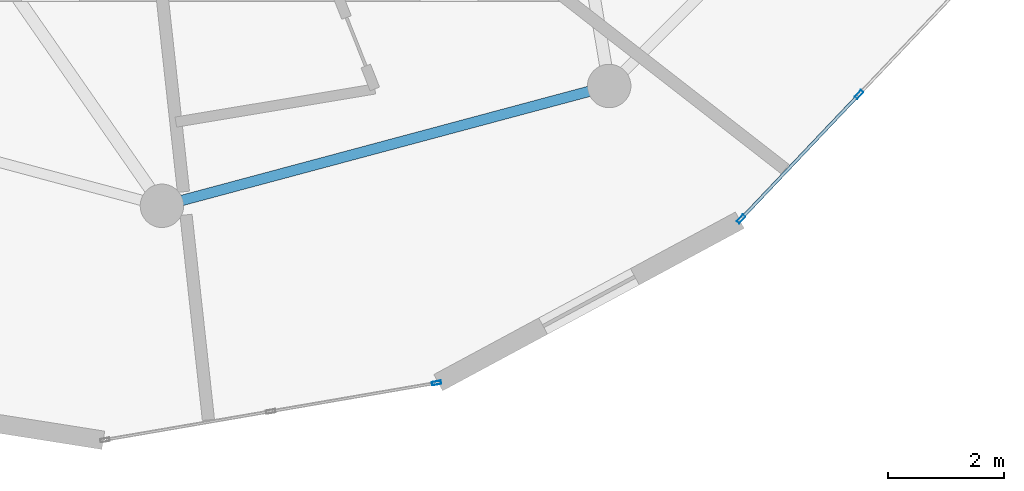
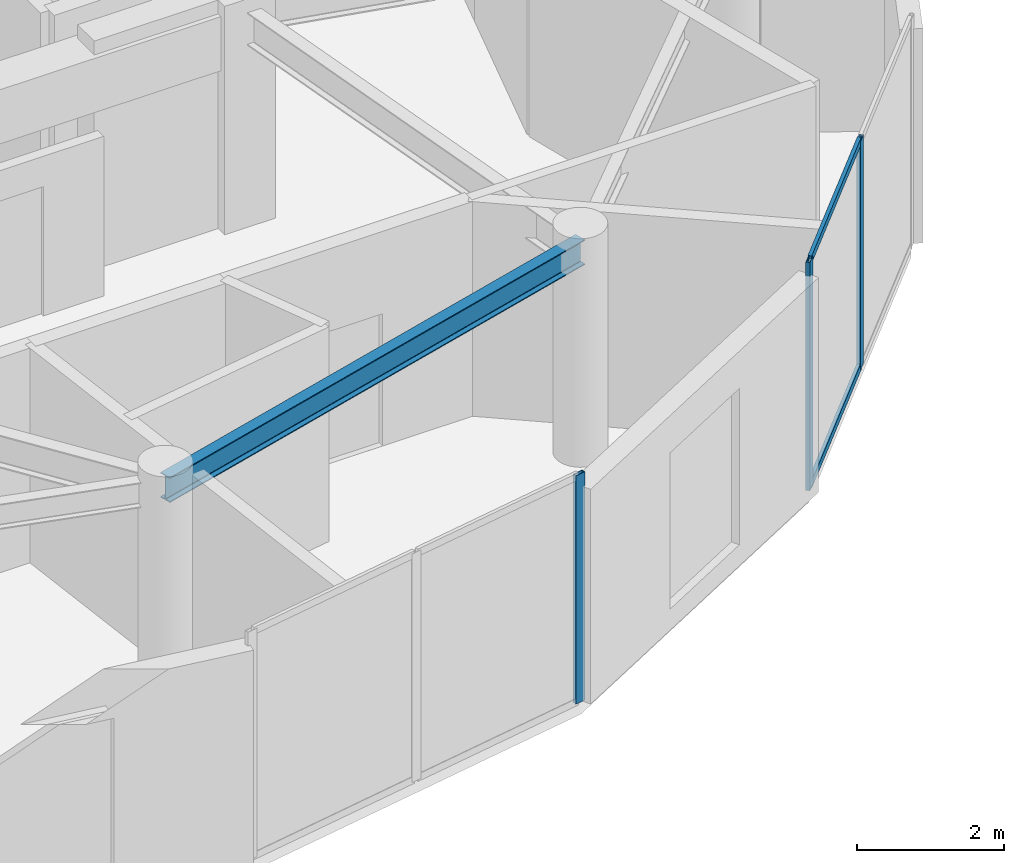
# One storey, part 5 of 22: 5 members, 1 beam, 2 elements without a shape of their own.
"""IFC4 building model written with IfcOpenShell, lengths in metres."""

from ifc_helpers import new_model, si_unit, direction, frame, origin, origin_2d, place, context, subcontext, project, spatial, hollow_rectangle, i_section, extrude, source, transform, mapped, material, layer, layer_set, material_profile, profile_set, type_object, element, aggregate, save


model = new_model("IFC4")

# Units and contexts
model_context = context("Model", 3, precision=1e-05, world=origin(), true_north=direction((0.0, 1.0)))
body_context = subcontext(model_context, "Body", "Model", "MODEL_VIEW")
ifc_project = project(units=[si_unit("LENGTHUNIT", "METRE"), si_unit("AREAUNIT", "SQUARE_METRE"), si_unit("VOLUMEUNIT", "CUBIC_METRE"), si_unit("PLANEANGLEUNIT", "RADIAN"), si_unit("MASSUNIT", "GRAM", prefix="KILO")], contexts=[model_context])

# Site, building, storey
site_placement = place(None, origin())
site = spatial("IfcSite", under=ifc_project, at=site_placement, CompositionType="ELEMENT")
building_placement = place(site_placement, origin())
building = spatial("IfcBuilding", under=site, at=building_placement, Name="Solvirekh Grand Hotel", CompositionType="ELEMENT")
storey_placement = place(building_placement, frame((0.0, 0.0, 278.199951171875)))
storey = spatial("IfcBuildingStorey", under=building, at=storey_placement, Name="L72", CompositionType="ELEMENT", Elevation=278.199951171875)

# Beam
ifc_material_1 = material(Name="Steel S355", Category="steel")
ifc_material_profile_1 = material_profile(ifc_material_1, i_section(OverallWidth=0.180908203125, OverallDepth=0.4169921875, WebThickness=0.010009765625, FlangeThickness=0.01611328125, FilletRadius=0.011962890625, at=origin_2d()), Name="W410X85")
ifc_profile_set_1 = profile_set([ifc_material_profile_1], Name="Steel S355")
beam_type = type_object("IfcBeamType", Name="Spandrel_Ring_W410", PredefinedType="SPANDREL", material=ifc_profile_set_1)
beam_placement = place(storey_placement, frame((0.0, -15.449951171875, 3.361083984375), z_axis=(0.965921616143, 0.258834757072, 0.0), x_axis=(-0.258834757072, 0.965921616143, 0.0)))
element("IfcBeam", 1, at=beam_placement, inside=storey, type_object=beam_type, Name="L72 perimeter spandrel beam 10", PredefinedType="SPANDREL", context=body_context, shape_type="SweptSolid", body=[
    extrude(i_section(OverallWidth=0.180908203125, OverallDepth=0.4169921875, WebThickness=0.010009765625, FlangeThickness=0.01611328125, FilletRadius=0.011962890625, at=origin_2d()), origin(), (0.0, 0.0, 1.0), 7.99755859375),
])

# Curtain wall, member
ifc_material_2 = material(Name="Anodized Bronze Aluminium 6063-T6", Category="aluminium")
ifc_layer = layer(ifc_material_2, 0.159912109375)
ifc_layer_set = layer_set([ifc_layer], Name="Anodized Bronze Aluminium 6063-T6")
curtain_wall_type = type_object("IfcCurtainWallType", Name="CW_Sys4_HighZoneFlushBronzeCW", PredefinedType="NOTDEFINED", material=ifc_layer_set)
curtain_wall_1_placement = place(storey_placement, origin())
curtain_wall_1 = element("IfcCurtainWall", 2, at=curtain_wall_1_placement, inside=storey, type_object=curtain_wall_type, Name="L72 unitised bronze-glass curtain wall CW-L72-C01", PredefinedType="NOTDEFINED")
ifc_material_profile_2 = material_profile(ifc_material_2, hollow_rectangle(XDim=0.06005859375, YDim=0.159912109375, WallThickness=0.0048828125, at=origin_2d()), Name="ALU RHS 160X60X5")
ifc_profile_set_2 = profile_set([ifc_material_profile_2], Name="Anodized Bronze Aluminium 6063-T6")
member_type_1 = type_object("IfcMemberType", Name="CWMullion_Sys4", PredefinedType="MULLION", material=ifc_profile_set_2)
shared_shape_1 = source(origin(), body_context, "Body", "SweptSolid", [
    extrude(hollow_rectangle(XDim=0.06005859375, YDim=0.159912109375, WallThickness=0.0048828125, at=origin_2d()), origin(), (0.0, 0.0, 1.0), 3.800048828125),
])
member_1_placement = place(storey_placement, frame((4.743408203125, -18.510009765625, 0.0), z_axis=(0.0, 0.0, 1.0), x_axis=(-0.169450661535, 0.985538671644, 0.0)))
member_1 = element("IfcMember", 3, at=member_1_placement, type_object=member_type_1, Name="U04 mullion 3", PredefinedType="MULLION", context=body_context, shape_type="MappedRepresentation", body=[
    mapped(shared_shape_1, transform((0.0, 0.0, 0.0), x_axis=(1.0, 0.0, 0.0), y_axis=(0.0, 1.0, 0.0), z_axis=(0.0, 0.0, 1.0), scale=1.0)),
])
aggregate(curtain_wall_1, [member_1])

# Curtain wall, members
curtain_wall_2_placement = place(storey_placement, origin())
curtain_wall_2 = element("IfcCurtainWall", 4, at=curtain_wall_2_placement, inside=storey, type_object=curtain_wall_type, Name="L72 unitised bronze-glass curtain wall CW-L72-C03", PredefinedType="NOTDEFINED")
member_2_placement = place(storey_placement, frame((10.001708984375, -15.67724609375, 0.0), z_axis=(0.0, 0.0, 1.0), x_axis=(-0.725654056171, 0.688059729066, 0.0)))
member_2 = element("IfcMember", 5, at=member_2_placement, type_object=member_type_1, Name="U04 mullion 1", PredefinedType="MULLION", context=body_context, shape_type="MappedRepresentation", body=[
    mapped(shared_shape_1, transform((0.0, 0.0, 0.0), x_axis=(1.0, 0.0, 0.0), y_axis=(0.0, 1.0, 0.0), z_axis=(0.0, 0.0, 1.0), scale=1.0)),
])
member_3_placement = place(storey_placement, frame((12.0400390625, -13.527587890625, 0.0), z_axis=(0.0, 0.0, 1.0), x_axis=(-0.725654056171, 0.688059729066, 0.0)))
member_3 = element("IfcMember", 6, at=member_3_placement, type_object=member_type_1, Name="U04 mullion 2", PredefinedType="MULLION", context=body_context, shape_type="MappedRepresentation", body=[
    mapped(shared_shape_1, transform((0.0, 0.0, 0.0), x_axis=(1.0, 0.0, 0.0), y_axis=(0.0, 1.0, 0.0), z_axis=(0.0, 0.0, 1.0), scale=1.0)),
])
ifc_material_profile_3 = material_profile(ifc_material_2, hollow_rectangle(XDim=0.054931640625, YDim=0.1201171875, WallThickness=0.00390625, at=origin_2d()), Name="ALU RHS 120X55X4")
ifc_profile_set_3 = profile_set([ifc_material_profile_3], Name="Anodized Bronze Aluminium 6063-T6")
member_type_2 = type_object("IfcMemberType", Name="CWTransom_Sys4", PredefinedType="USERDEFINED", material=ifc_profile_set_3)
shared_shape_2 = source(origin(), body_context, "Body", "SweptSolid", [
    extrude(hollow_rectangle(XDim=0.054931640625, YDim=0.1201171875, WallThickness=0.00390625, at=origin_2d()), origin(), (0.0, 0.0, 1.0), 2.902587890625),
])
member_4_placement = place(storey_placement, frame((10.022216796875, -15.655517578125, 0.027587890625), z_axis=(0.688057220203, 0.725656435048, 0.0), x_axis=(-0.725656435048, 0.688057220203, 0.0)))
member_4 = element("IfcMember", 7, at=member_4_placement, type_object=member_type_2, Name="U04 transom 1.1", ObjectType="TRANSOM", PredefinedType="USERDEFINED", context=body_context, shape_type="MappedRepresentation", body=[
    mapped(shared_shape_2, transform((0.0, 0.0, 0.0), x_axis=(1.0, 0.0, 0.0), y_axis=(0.0, 1.0, 0.0), z_axis=(0.0, 0.0, 1.0), scale=1.0)),
])
member_5_placement = place(storey_placement, frame((10.022216796875, -15.655517578125, 3.7724609375), z_axis=(0.688057220203, 0.725656435048, 0.0), x_axis=(-0.725656435048, 0.688057220203, 0.0)))
member_5 = element("IfcMember", 8, at=member_5_placement, type_object=member_type_2, Name="U04 transom 1.2", ObjectType="TRANSOM", PredefinedType="USERDEFINED", context=body_context, shape_type="MappedRepresentation", body=[
    mapped(shared_shape_2, transform((0.0, 0.0, 0.0), x_axis=(1.0, 0.0, 0.0), y_axis=(0.0, 1.0, 0.0), z_axis=(0.0, 0.0, 1.0), scale=1.0)),
])
aggregate(curtain_wall_2, [member_2, member_3, member_4, member_5])

save(model, "model.ifc")
